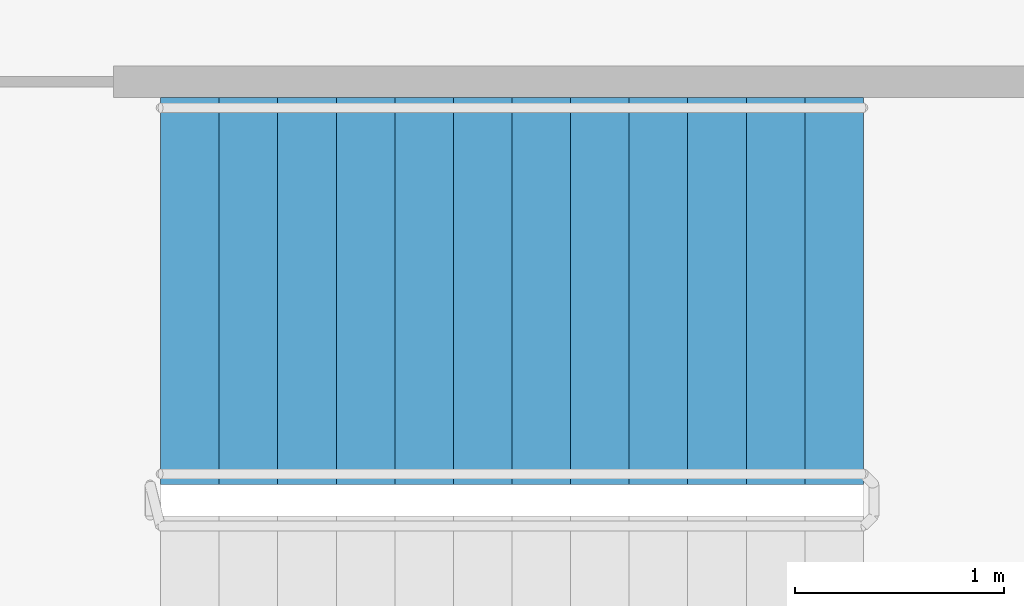
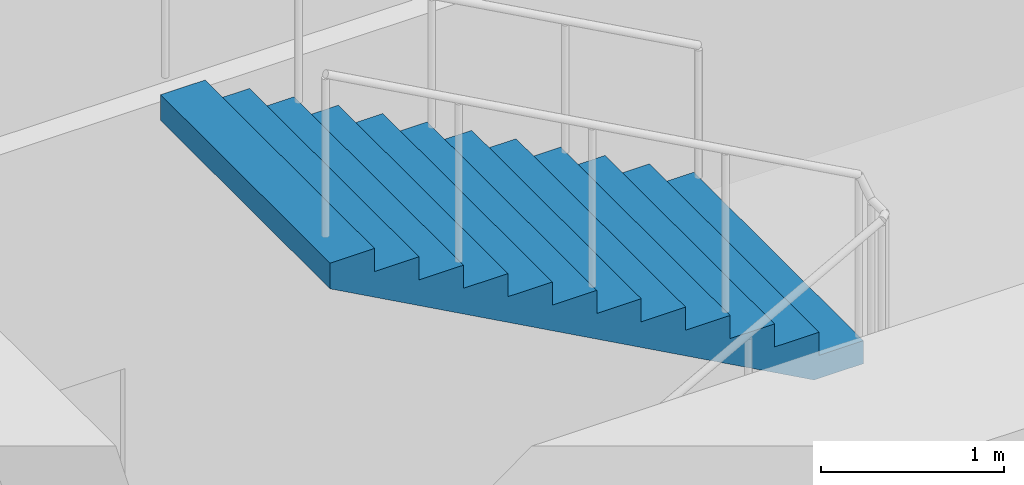
# One storey, part 10 of 12: 1 stair flight, 1 element without a shape of its own.
"""IFC4 building model written with IfcOpenShell, lengths in metres."""

import ifcopenshell
import ifcopenshell.guid

model = None  # the IFC model being written
_history = None  # IfcOwnerHistory: only IFC2X3 demands one
_inside = {}  # id of a spatial element -> (the spatial element, [elements in it])
_under = {}  # id of a project, library or spatial element -> (it, [spatial elements below it])
_declared = {}  # id of a project -> (the project, [libraries it declares])
_typed = {}  # id of a type object -> (the type object, [elements of that type])
_made_of = {}  # id of a material, layer set ... -> (it, [elements and type objects made of it])


def new_model(schema):
    """Start an empty IFC model of exactly this schema.

    Asked for "IFC4X3", IfcOpenShell would pick the latest addendum, in which some entities
    have other attributes; the version numbers below select the first issue.
    IFC2X3 requires an IfcOwnerHistory on every rooted entity: one is made here for all.
    """
    global model, _history
    if schema == "IFC4X3":
        model = ifcopenshell.file(schema_version=(4, 3, 0, 0))
    else:
        model = ifcopenshell.file(schema=schema)
    _inside.clear()
    _under.clear()
    _declared.clear()
    _typed.clear()
    _made_of.clear()
    _history = None
    if model.schema == "IFC2X3":
        org = make("IfcOrganization", Name="unknown")
        user = make(
            "IfcPersonAndOrganization",
            ThePerson=make("IfcPerson", FamilyName="unknown"),
            TheOrganization=org,
        )
        app = make(
            "IfcApplication",
            ApplicationDeveloper=org,
            Version="unknown",
            ApplicationFullName="unknown",
            ApplicationIdentifier="unknown",
        )
        _history = make(
            "IfcOwnerHistory",
            OwningUser=user,
            OwningApplication=app,
            ChangeAction="ADDED",
            CreationDate=0,
        )
    return model


def make(cls, **values):
    """One entity of the class cls with the attributes given. An attribute that is None is left unset."""
    return model.create_entity(
        cls, **{name: value for name, value in values.items() if value is not None}
    )


def rooted(cls, **values):
    """An entity with a GlobalId (a new one), such as an element, a storey or a relation."""
    return make(cls, GlobalId=ifcopenshell.guid.new(), OwnerHistory=_history, **values)


def si_unit(unit_type, name, prefix=None):
    """IfcSIUnit, for example si_unit("LENGTHUNIT", "METRE", prefix="MILLI")."""
    return make("IfcSIUnit", UnitType=unit_type, Prefix=prefix, Name=name)


def assignment(units):
    """IfcUnitAssignment: the units of a project."""
    return None if units is None else make("IfcUnitAssignment", Units=units)


def point(xyz):
    """IfcCartesianPoint."""
    return None if xyz is None else make("IfcCartesianPoint", Coordinates=xyz)


def direction(xyz):
    """IfcDirection."""
    return None if xyz is None else make("IfcDirection", DirectionRatios=xyz)


def frame(location, z_axis=None, x_axis=None):
    """IfcAxis2Placement3D, a coordinate frame: its origin and axes. An axis left out is left unset."""
    return make(
        "IfcAxis2Placement3D",
        Location=point(location),
        Axis=direction(z_axis),
        RefDirection=direction(x_axis),
    )


def origin():
    """The frame at (0, 0, 0) with its axes left unset."""
    return frame((0.0, 0.0, 0.0))


def place(relative_to, where):
    """IfcLocalPlacement: puts the frame where relative to a parent placement (None: the world)."""
    return make(
        "IfcLocalPlacement", PlacementRelTo=relative_to, RelativePlacement=where
    )


def context(
    kind, dimensions, precision=None, world=None, true_north=None, identifier=None
):
    """IfcGeometricRepresentationContext, for example the 3D "Model" context."""
    return make(
        "IfcGeometricRepresentationContext",
        ContextIdentifier=identifier,
        ContextType=kind,
        CoordinateSpaceDimension=dimensions,
        Precision=precision,
        WorldCoordinateSystem=world,
        TrueNorth=true_north,
    )


def subcontext(parent, identifier, kind, view, scale=None):
    """IfcGeometricRepresentationSubContext, for example "Body" below "Model"."""
    return make(
        "IfcGeometricRepresentationSubContext",
        ContextIdentifier=identifier,
        ContextType=kind,
        ParentContext=parent,
        TargetScale=scale,
        TargetView=view,
    )


def project(units=None, contexts=None):
    """IfcProject with its units and contexts."""
    return rooted(
        "IfcProject",
        Name="project",
        RepresentationContexts=contexts,
        UnitsInContext=assignment(units),
    )


def spatial(cls, under=None, at=None, **own):
    """A site, building, storey or space (cls), placed at a placement, below another one or the project."""
    s = rooted(cls, ObjectPlacement=at, **own)
    if under is not None:
        _under.setdefault(under.id(), (under, []))[1].append(s)
    return s


def polyline(points):
    """IfcPolyline through the points."""
    return make("IfcPolyline", Points=[point(p) for p in points])


def outline(outer, holes=None, kind="AREA"):
    """IfcArbitraryClosedProfileDef: a profile drawn as a closed curve; with holes, ...WithVoids."""
    if holes is None:
        return make("IfcArbitraryClosedProfileDef", ProfileType=kind, OuterCurve=outer)
    return make(
        "IfcArbitraryProfileDefWithVoids",
        ProfileType=kind,
        OuterCurve=outer,
        InnerCurves=holes,
    )


def extrude(swept, where, along, depth):
    """IfcExtrudedAreaSolid: the profile swept, set in the frame where, extruded along a direction by depth."""
    return make(
        "IfcExtrudedAreaSolid",
        SweptArea=swept,
        Position=where,
        ExtrudedDirection=direction(along),
        Depth=depth,
    )


def shape(context_of_items, identifier, shape_type, items):
    """IfcShapeRepresentation: the items that make up one representation, for example the "Body"."""
    return make(
        "IfcShapeRepresentation",
        ContextOfItems=context_of_items,
        RepresentationIdentifier=identifier,
        RepresentationType=shape_type,
        Items=items,
    )


def material(Name=None, Category=None):
    """IfcMaterial."""
    return make("IfcMaterial", Name=Name, Category=Category)


def made_of(thing, what):
    """Note that an element or type object is made of a material, layer set ...; save() writes the relation."""
    if what is not None:
        _made_of.setdefault(what.id(), (what, []))[1].append(thing)
    return thing


def type_object(cls, material=None, **own):
    """A type object (cls), such as IfcWallType, which elements share."""
    return made_of(rooted(cls, **own), material)


def element(
    cls,
    number,
    at=None,
    inside=None,
    cuts=None,
    type_object=None,
    material=None,
    context=None,
    identifier="Body",
    shape_type=None,
    held_by="IfcProductDefinitionShape",
    body=None,
    shapes=None,
    **own,
):
    """One element of the class cls, such as IfcWall. Its Tag is "e" and its number.

    at: its placement. inside: the storey or other place that contains it. cuts: it is an
    opening in that element (IfcRelVoidsElement). A single representation is given by context,
    identifier, shape_type and body (its items); several are given by shapes. held_by: the class
    of the entity that holds the representations. save() writes the other relations.
    """
    e = rooted(cls, Tag="e%d" % number, ObjectPlacement=at, **own)
    if body is not None:
        shapes = [shape(context, identifier, shape_type, body)]
    if shapes is not None:
        e.Representation = make(held_by, Representations=shapes)
    if inside is not None:
        _inside.setdefault(inside.id(), (inside, []))[1].append(e)
    if cuts is not None:
        rooted(
            "IfcRelVoidsElement", RelatingBuildingElement=cuts, RelatedOpeningElement=e
        )
    if type_object is not None:
        _typed.setdefault(type_object.id(), (type_object, []))[1].append(e)
    return made_of(e, material)


def aggregate(whole, parts):
    """IfcRelAggregates: a whole, such as a stair, and the parts it consists of."""
    return rooted("IfcRelAggregates", RelatingObject=whole, RelatedObjects=parts)


def save(model, path):
    """Write the relations noted so far, then the file.

    IfcRelAggregates (storeys below a building ...), IfcRelContainedInSpatialStructure (elements
    in a storey), IfcRelDefinesByType, IfcRelAssociatesMaterial and IfcRelDeclares: one each for
    every whole, place, type object, material and project.
    """
    for whole, parts in _under.values():
        aggregate(whole, parts)
    for where, things in _inside.values():
        rooted(
            "IfcRelContainedInSpatialStructure",
            RelatedElements=things,
            RelatingStructure=where,
        )
    for kind, things in _typed.values():
        rooted("IfcRelDefinesByType", RelatedObjects=things, RelatingType=kind)
    for what, things in _made_of.values():
        rooted("IfcRelAssociatesMaterial", RelatedObjects=things, RelatingMaterial=what)
    for by, libraries in _declared.values():
        rooted("IfcRelDeclares", RelatingContext=by, RelatedDefinitions=libraries)
    model.write(path)


model = new_model("IFC4")

# Units and contexts
model_context = context("Model", 3, precision=1e-05, world=origin(), true_north=direction((0.0, 1.0)))
body_context = subcontext(model_context, "Body", "Model", "MODEL_VIEW")
ifc_project = project(units=[si_unit("LENGTHUNIT", "METRE"), si_unit("AREAUNIT", "SQUARE_METRE"), si_unit("VOLUMEUNIT", "CUBIC_METRE"), si_unit("PLANEANGLEUNIT", "RADIAN"), si_unit("MASSUNIT", "GRAM", prefix="KILO")], contexts=[model_context])

# Site, building, storey
site_placement = place(None, origin())
site = spatial("IfcSite", under=ifc_project, at=site_placement, CompositionType="ELEMENT")
building_placement = place(site_placement, origin())
building = spatial("IfcBuilding", under=site, at=building_placement, Name="Zellij Exchange Tower", CompositionType="ELEMENT")
storey_placement = place(building_placement, frame((0.0, 0.0, 88.5)))
storey = spatial("IfcBuildingStorey", under=building, at=storey_placement, Name="L18", CompositionType="ELEMENT", Elevation=88.5)

# Stair, stair flight
ifc_material = material(Name="Concrete C40/50", Category="concrete")
stair_type = type_object("IfcStairType", Name="CORE-ST exit stair 1850 wide", PredefinedType="HALF_TURN_STAIR", material=ifc_material)
stair_placement = place(storey_placement, origin())
stair = element("IfcStair", 1, at=stair_placement, inside=storey, type_object=stair_type, Name="L18 exit stair ST4", PredefinedType="HALF_TURN_STAIR")
stair_flight_type = type_object("IfcStairFlightType", Name="CORE-SF flight 1850 riser 153.8 going 280", PredefinedType="STRAIGHT", material=ifc_material)
stair_flight_placement = place(storey_placement, frame((23.510009765625, -9.875, 2.0), z_axis=(0.0, 0.0, 1.0), x_axis=(-1.0, 0.0, 0.0)))
stair_flight = element("IfcStairFlight", 2, at=stair_flight_placement, type_object=stair_flight_type, Name="ST4 flight 2", NumberOfRisers=13, NumberOfTreads=12, PredefinedType="STRAIGHT", RiserHeight=0.153846154, TreadLength=0.28, context=body_context, shape_type="SweptSolid", body=[
    extrude(outline(polyline([(0.0, 0.0), (0.0, 0.15380859375), (0.280029296875, 0.15380859375), (0.280029296875, 0.3076171875), (0.56005859375, 0.3076171875), (0.56005859375, 0.46142578125), (0.840087890625, 0.46142578125), (0.840087890625, 0.615478515625), (1.1201171875, 0.615478515625), (1.1201171875, 0.769287109375), (1.39990234375, 0.769287109375), (1.39990234375, 0.923095703125), (1.679931640625, 0.923095703125), (1.679931640625, 1.076904296875), (1.9599609375, 1.076904296875), (1.9599609375, 1.230712890625), (2.239990234375, 1.230712890625), (2.239990234375, 1.384521484375), (2.52001953125, 1.384521484375), (2.52001953125, 1.53857421875), (2.800048828125, 1.53857421875), (2.800048828125, 1.6923828125), (3.080078125, 1.6923828125), (3.080078125, 1.84619140625), (3.360107421875, 1.84619140625), (3.360107421875, 2.0), (3.360107421875, 1.675048828125), (0.311279296875, 0.0), (0.0, 0.0)])), frame((0.0, 0.925048828125, 0.0), z_axis=(0.0, -1.0, 0.0), x_axis=(1.0, 0.0, 0.0)), (0.0, 0.0, 1.0), 1.85009765625),
])
aggregate(stair, [stair_flight])

save(model, "model.ifc")
